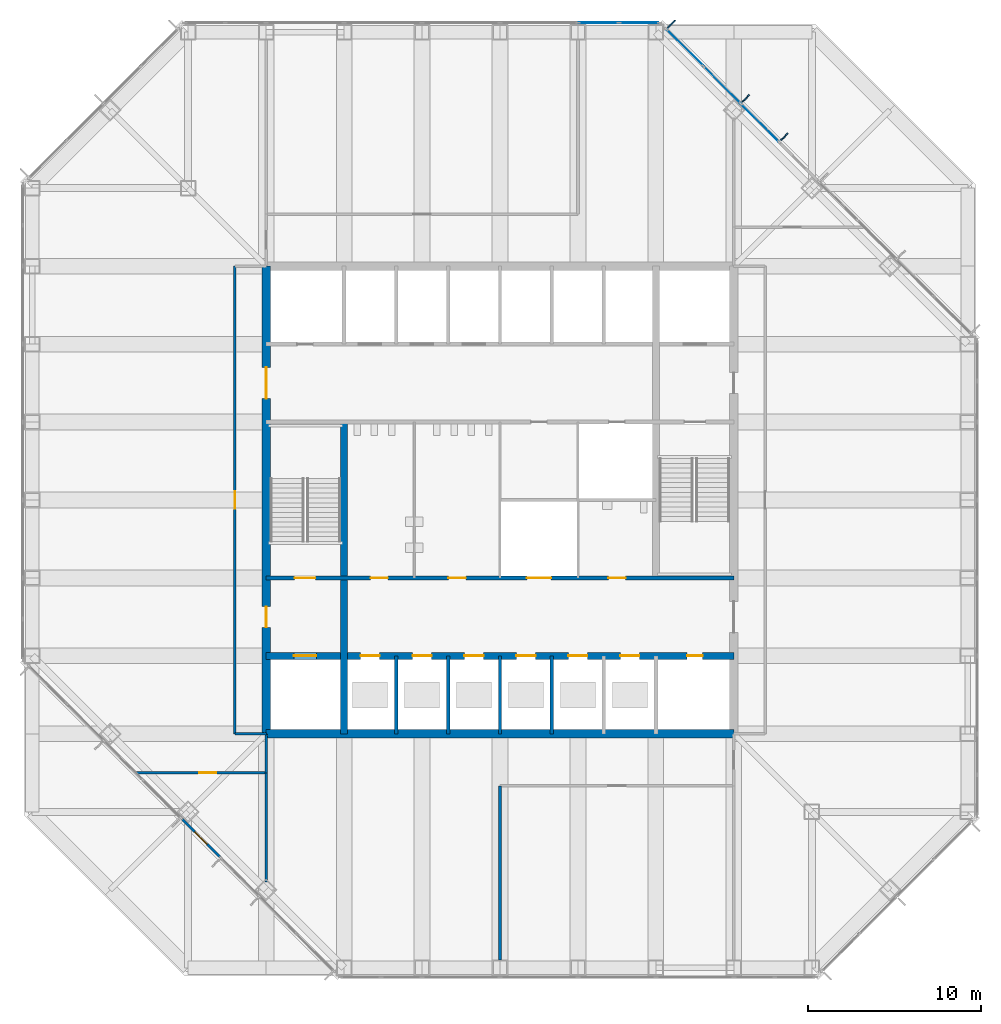
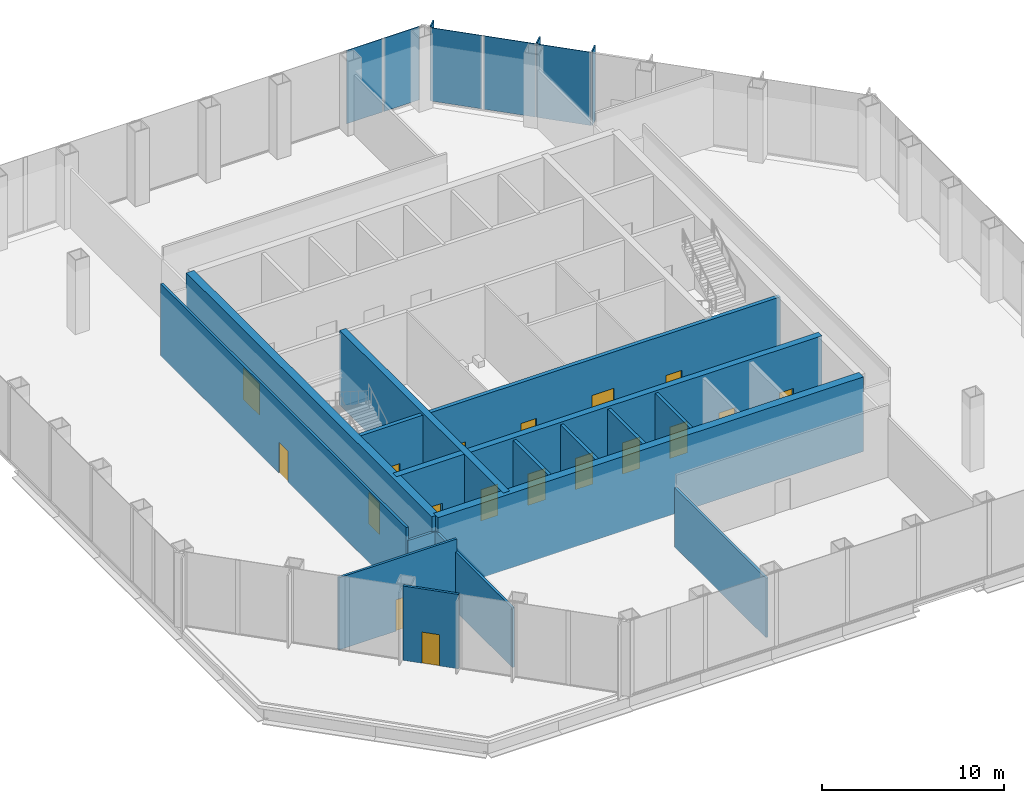
# One storey, part 7 of 12: 18 doors, 16 walls, 8 plates, 18 openings, 2 elements without a shape of their own.
"""IFC4 building model written with IfcOpenShell, lengths in metres."""

from ifc_helpers import new_model, si_unit, direction, frame, frame_2d, origin, origin_2d, place, context, subcontext, project, spatial, rectangle, extrude, material, layer, layer_set, type_object, element, fill, aggregate, save


model = new_model("IFC4")

# Units and contexts
model_context = context("Model", 3, precision=1e-05, world=origin(), true_north=direction((0.0, 1.0)))
body_context = subcontext(model_context, "Body", "Model", "MODEL_VIEW")
ifc_project = project(units=[si_unit("LENGTHUNIT", "METRE"), si_unit("AREAUNIT", "SQUARE_METRE"), si_unit("VOLUMEUNIT", "CUBIC_METRE"), si_unit("PLANEANGLEUNIT", "RADIAN"), si_unit("MASSUNIT", "GRAM", prefix="KILO")], contexts=[model_context])

# Site, building, storey
site_placement = place(None, origin())
site = spatial("IfcSite", under=ifc_project, at=site_placement, CompositionType="ELEMENT")
building_placement = place(site_placement, origin())
building = spatial("IfcBuilding", under=site, at=building_placement, Name="Corais Broadcast Tower", CompositionType="ELEMENT")
storey_placement = place(building_placement, frame((0.0, 0.0, 110.60009765625)))
storey = spatial("IfcBuildingStorey", under=building, at=storey_placement, Name="L24", CompositionType="ELEMENT", Elevation=110.60009765625)

# Curtain wall, plate
ifc_material_1 = material(Name="Aluminium and glass", Category="aluminium")
curtain_wall_type = type_object("IfcCurtainWallType", Name="Sky lobby curtain wall CW4", PredefinedType="NOTDEFINED", material=ifc_material_1)
curtain_wall_1_placement = place(storey_placement, origin())
curtain_wall_1 = element("IfcCurtainWall", 1, at=curtain_wall_1_placement, inside=storey, type_object=curtain_wall_type, Name="CW4 curtain wall L24 4", PredefinedType="NOTDEFINED")
ifc_material_2 = material(Name="Ceramic-fritted laminated glass", Category="glass")
ifc_layer_1 = layer(ifc_material_2, 0.035888671875)
ifc_layer_set_1 = layer_set([ifc_layer_1], Name="Ceramic-fritted laminated glass")
plate_type_1 = type_object("IfcPlateType", Name="Fritted glass panel CW4", PredefinedType="CURTAIN_PANEL", material=ifc_layer_set_1)
plate_1_placement = place(storey_placement, frame((32.681884765625, 54.550048828125, 0.079833984375), z_axis=(0.0, 0.0, 1.0), x_axis=(1.0, 0.0, 0.0)))
plate_1 = element("IfcPlate", 2, at=plate_1_placement, type_object=plate_type_1, Name="CW4 panel 7", PredefinedType="CURTAIN_PANEL", context=body_context, shape_type="SweptSolid", body=[
    extrude(rectangle(XDim=2.283935546875, YDim=0.035888671875, at=origin_2d()), origin(), (0.0, 0.0, 1.0), 4.919921875),
])

# Curtain wall, plates
curtain_wall_2_placement = place(storey_placement, origin())
curtain_wall_2 = element("IfcCurtainWall", 3, at=curtain_wall_2_placement, inside=storey, type_object=curtain_wall_type, Name="CW4 curtain wall L24 5", PredefinedType="NOTDEFINED")
plate_2_placement = place(storey_placement, frame((37.67236328125, 53.10546875, 0.079833984375), z_axis=(0.0, 0.0, 1.0), x_axis=(0.707106781187, -0.707106781187, 0.0)))
plate_2 = element("IfcPlate", 4, at=plate_2_placement, type_object=plate_type_1, Name="CW4 panel 1", PredefinedType="CURTAIN_PANEL", context=body_context, shape_type="SweptSolid", body=[
    extrude(rectangle(XDim=2.92578125, YDim=0.035888671875, at=origin_2d()), origin(), (0.0, 0.0, 1.0), 4.919921875),
])
plate_3_placement = place(storey_placement, frame((41.999755859375, 48.778076171875, 0.079833984375), z_axis=(0.0, 0.0, 1.0), x_axis=(0.707106781187, -0.707106781187, 0.0)))
plate_3 = element("IfcPlate", 5, at=plate_3_placement, type_object=plate_type_1, Name="CW4 panel 3", PredefinedType="CURTAIN_PANEL", context=body_context, shape_type="SweptSolid", body=[
    extrude(rectangle(XDim=3.06201171875, YDim=0.035888671875, at=origin_2d()), origin(), (0.0, 0.0, 1.0), 4.919921875),
])

# Plate
ifc_material_3 = material(Name="Clear laminated glass", Category="glass")
ifc_layer_2 = layer(ifc_material_3, 0.0400390625)
ifc_layer_set_2 = layer_set([ifc_layer_2], Name="Clear laminated glass")
plate_type_2 = type_object("IfcPlateType", Name="Operable glass panel CW4", PredefinedType="CURTAIN_PANEL", material=ifc_layer_set_2)
plate_4_placement = place(storey_placement, frame((35.02587890625, 54.550048828125, 0.079833984375), z_axis=(0.0, 0.0, 1.0), x_axis=(1.0, 0.0, 0.0)))
plate_4 = element("IfcPlate", 6, at=plate_4_placement, type_object=plate_type_2, Name="CW4 operable panel 8", PredefinedType="CURTAIN_PANEL", context=body_context, shape_type="SweptSolid", body=[
    extrude(rectangle(XDim=2.243896484375, YDim=0.0400390625, at=origin_2d()), origin(), (0.0, 0.0, 1.0), 4.919921875),
])

aggregate(curtain_wall_1, [plate_1, plate_4])

plate_5_placement = place(storey_placement, frame((39.81201171875, 50.9658203125, 0.079833984375), z_axis=(0.0, 0.0, 1.0), x_axis=(0.707106781187, -0.707106781187, 0.0)))
plate_5 = element("IfcPlate", 7, at=plate_5_placement, type_object=plate_type_2, Name="CW4 operable panel 2", PredefinedType="CURTAIN_PANEL", context=body_context, shape_type="SweptSolid", body=[
    extrude(rectangle(XDim=2.9658203125, YDim=0.0400390625, at=origin_2d()), origin(), (0.0, 0.0, 1.0), 4.919921875),
])

aggregate(curtain_wall_2, [plate_2, plate_5, plate_3])

# Plates
ifc_material_4 = material(Name="Granite stone cladding", Category="masonry")
ifc_layer_3 = layer(ifc_material_4, 0.080078125)
ifc_layer_set_3 = layer_set([ifc_layer_3], Name="Granite stone cladding")
plate_type_3 = type_object("IfcPlateType", Name="Stone screen fin 80x600", PredefinedType="USERDEFINED", material=ifc_layer_set_3)
for number, where, z_axis, x_axis, name in (
    (8, (36.908203125, 54.466552734375, 0.0), (0.0, 0.0, 1.0), (0.707106781187, -0.707106781187, 0.0), "SF1 stone screen fin L24"),
    (9, (41.187255859375, 50.187255859375, 0.0), (0.0, 0.0, 1.0), (0.707106781187, -0.707106781187, 0.0), "SF1 stone screen fin L24"),
    (10, (43.408935546875, 47.965576171875, 0.0), (0.0, 0.0, 1.0), (0.707106781187, -0.707106781187, 0.0), "SF1 stone screen fin L24"),
):
    element("IfcPlate", number, at=place(storey_placement, frame(where, z_axis=z_axis, x_axis=x_axis)), inside=storey, type_object=plate_type_3, Name=name, ObjectType="STONE SCREEN FIN", PredefinedType="USERDEFINED", context=body_context, shape_type="SweptSolid", body=[
        extrude(rectangle(XDim=0.080078125, YDim=0.60009765625, at=origin_2d()), origin(), (0.0, 0.0, 1.0), 5.0),
    ])

# Wall, openings, doors
ifc_material_5 = material(Name="Concrete blockwork class A, grouted, two-hour", Category="masonry")
ifc_layer_4 = layer(ifc_material_5, 0.25)
ifc_layer_set_4 = layer_set([ifc_layer_4], Name="Concrete blockwork class A, grouted, two-hour")
wall_type_1 = type_object("IfcWallType", Name="Core lobby wall 250", PredefinedType="SOLIDWALL", material=ifc_layer_set_4)
wall_1_placement = place(storey_placement, frame((13.5, 22.5, 0.0), z_axis=(0.0, 0.0, 1.0), x_axis=(1.0, 0.0, 0.0)))
wall_1 = element("IfcWall", 11, at=wall_1_placement, inside=storey, type_object=wall_type_1, Name="CL2 core lobby wall Y225 L24", PredefinedType="SOLIDWALL", context=body_context, shape_type="SweptSolid", body=[
    extrude(rectangle(XDim=27.0, YDim=0.25, at=frame_2d((13.5, 0.0))), origin(), (0.0, 0.0, 1.0), 4.83984375),
])
opening_1_placement = place(wall_1_placement, frame((1.64990234375, 0.0, 0.0)))
opening_1 = element("IfcOpeningElement", 12, at=opening_1_placement, cuts=wall_1, Name="Opening FD1", PredefinedType="OPENING", context=body_context, shape_type="SweptSolid", body=[
    extrude(rectangle(XDim=1.199951171875, YDim=2.10009765625, at=frame_2d((0.60009765625, 1.050048828125))), frame((0.0, 0.135009765625, 0.0), z_axis=(0.0, -1.0, 0.0), x_axis=(1.0, 0.0, 0.0)), (0.0, 0.0, 1.0), 0.27001953125),
])
opening_2_placement = place(wall_1_placement, frame((6.02490234375, 0.0, 0.0)))
opening_2 = element("IfcOpeningElement", 13, at=opening_2_placement, cuts=wall_1, Name="Opening WD1", PredefinedType="OPENING", context=body_context, shape_type="SweptSolid", body=[
    extrude(rectangle(XDim=1.0, YDim=2.10009765625, at=frame_2d((0.5, 1.050048828125))), frame((0.0, 0.135009765625, 0.0), z_axis=(0.0, -1.0, 0.0), x_axis=(1.0, 0.0, 0.0)), (0.0, 0.0, 1.0), 0.27001953125),
])
opening_3_placement = place(wall_1_placement, frame((10.52490234375, 0.0, 0.0)))
opening_3 = element("IfcOpeningElement", 14, at=opening_3_placement, cuts=wall_1, Name="Opening WD1", PredefinedType="OPENING", context=body_context, shape_type="SweptSolid", body=[
    extrude(rectangle(XDim=1.0, YDim=2.10009765625, at=frame_2d((0.5, 1.050048828125))), frame((0.0, 0.135009765625, 0.0), z_axis=(0.0, -1.0, 0.0), x_axis=(1.0, 0.0, 0.0)), (0.0, 0.0, 1.0), 0.27001953125),
])
opening_4_placement = place(wall_1_placement, frame((19.75, 0.0, 0.0)))
opening_4 = element("IfcOpeningElement", 15, at=opening_4_placement, cuts=wall_1, Name="Opening WD1", PredefinedType="OPENING", context=body_context, shape_type="SweptSolid", body=[
    extrude(rectangle(XDim=1.0, YDim=2.10009765625, at=frame_2d((0.5, 1.050048828125))), frame((0.0, 0.135009765625, 0.0), z_axis=(0.0, -1.0, 0.0), x_axis=(1.0, 0.0, 0.0)), (0.0, 0.0, 1.0), 0.27001953125),
])
opening_5_placement = place(wall_1_placement, frame((15.050048828125, 0.0, 0.0)))
opening_5 = element("IfcOpeningElement", 16, at=opening_5_placement, cuts=wall_1, Name="Opening LD3", PredefinedType="OPENING", context=body_context, shape_type="SweptSolid", body=[
    extrude(rectangle(XDim=1.39990234375, YDim=2.39990234375, at=frame_2d((0.699951171875, 1.199951171875))), frame((0.0, 0.135009765625, 0.0), z_axis=(0.0, -1.0, 0.0), x_axis=(1.0, 0.0, 0.0)), (0.0, 0.0, 1.0), 0.27001953125),
])
ifc_material_6 = material(Name="Steel fire door", Category="steel")
door_type_1 = type_object("IfcDoorType", Name="Fire door 1200x2100", OperationType="SINGLE_SWING_LEFT", PredefinedType="DOOR", material=ifc_material_6)
door_1_placement = place(opening_1_placement, origin())
door_1 = element("IfcDoor", 17, at=door_1_placement, inside=storey, type_object=door_type_1, Name="FD1 stair A door L24", OperationType="SINGLE_SWING_LEFT", OverallHeight=2.10009765625, OverallWidth=1.199951171875, PredefinedType="DOOR", context=body_context, shape_type="SweptSolid", body=[
    extrude(rectangle(XDim=1.199951171875, YDim=2.10009765625, at=frame_2d((0.60009765625, 1.050048828125))), frame((0.0, 0.02490234375, 0.0), z_axis=(0.0, -1.0, 0.0), x_axis=(1.0, 0.0, 0.0)), (0.0, 0.0, 1.0), 0.050048828125),
])
fill(opening_1, door_1)
ifc_material_7 = material(Name="Stainless steel lift door", Category="steel")
door_type_2 = type_object("IfcDoorType", Name="Service lift landing door 1400x2400", OperationType="SLIDING_TO_LEFT", PredefinedType="DOOR", material=ifc_material_7)
door_2_placement = place(opening_5_placement, origin())
door_2 = element("IfcDoor", 18, at=door_2_placement, inside=storey, type_object=door_type_2, Name="LD3 SL1 landing door L24", OperationType="SLIDING_TO_LEFT", OverallHeight=2.39990234375, OverallWidth=1.39990234375, PredefinedType="DOOR", context=body_context, shape_type="SweptSolid", body=[
    extrude(rectangle(XDim=1.39990234375, YDim=2.39990234375, at=frame_2d((0.699951171875, 1.199951171875))), frame((0.0, 0.02490234375, 0.0), z_axis=(0.0, -1.0, 0.0), x_axis=(1.0, 0.0, 0.0)), (0.0, 0.0, 1.0), 0.050048828125),
])
fill(opening_5, door_2)
ifc_material_8 = material(Name="Timber door", Category="wood")
door_type_3 = type_object("IfcDoorType", Name="Toilet door 1000x2100", OperationType="SINGLE_SWING_LEFT", PredefinedType="DOOR", material=ifc_material_8)
door_3_placement = place(opening_2_placement, origin())
door_3 = element("IfcDoor", 19, at=door_3_placement, inside=storey, type_object=door_type_3, Name="WD1 WC male door L24", OperationType="SINGLE_SWING_LEFT", OverallHeight=2.10009765625, OverallWidth=1.0, PredefinedType="DOOR", context=body_context, shape_type="SweptSolid", body=[
    extrude(rectangle(XDim=1.0, YDim=2.10009765625, at=frame_2d((0.5, 1.050048828125))), frame((0.0, 0.02490234375, 0.0), z_axis=(0.0, -1.0, 0.0), x_axis=(1.0, 0.0, 0.0)), (0.0, 0.0, 1.0), 0.050048828125),
])
fill(opening_2, door_3)
door_4_placement = place(opening_3_placement, origin())
door_4 = element("IfcDoor", 20, at=door_4_placement, inside=storey, type_object=door_type_3, Name="WD1 WC female door L24", OperationType="SINGLE_SWING_LEFT", OverallHeight=2.10009765625, OverallWidth=1.0, PredefinedType="DOOR", context=body_context, shape_type="SweptSolid", body=[
    extrude(rectangle(XDim=1.0, YDim=2.10009765625, at=frame_2d((0.5, 1.050048828125))), frame((0.0, 0.02490234375, 0.0), z_axis=(0.0, -1.0, 0.0), x_axis=(1.0, 0.0, 0.0)), (0.0, 0.0, 1.0), 0.050048828125),
])
fill(opening_3, door_4)
door_5_placement = place(opening_4_placement, origin())
door_5 = element("IfcDoor", 21, at=door_5_placement, inside=storey, type_object=door_type_3, Name="WD1 accessible WC door L24", OperationType="SINGLE_SWING_RIGHT", OverallHeight=2.10009765625, OverallWidth=1.0, PredefinedType="DOOR", context=body_context, shape_type="SweptSolid", body=[
    extrude(rectangle(XDim=1.0, YDim=2.10009765625, at=frame_2d((0.5, 1.050048828125))), frame((0.0, 0.02490234375, 0.0), z_axis=(0.0, -1.0, 0.0), x_axis=(1.0, 0.0, 0.0)), (0.0, 0.0, 1.0), 0.050048828125),
])
fill(opening_4, door_5)

# Wall
ifc_material_9 = material(Name="Concrete C50/60", Category="concrete")
ifc_layer_5 = layer(ifc_material_9, 0.39990234375)
ifc_layer_set_5 = layer_set([ifc_layer_5], Name="Concrete C50/60")
wall_type_2 = type_object("IfcWallType", Name="Core wall 400", PredefinedType="SHEAR", material=ifc_layer_set_5)
wall_2_placement = place(storey_placement, frame((18.0, 13.5, 0.0), z_axis=(0.0, 0.0, 1.0), x_axis=(0.0, 1.0, 0.0)))
element("IfcWall", 22, at=wall_2_placement, inside=storey, type_object=wall_type_2, Name="CR400 core wall X18A L24", PredefinedType="SHEAR", context=body_context, shape_type="SweptSolid", body=[
    extrude(rectangle(XDim=18.0, YDim=0.39990234375, at=frame_2d((9.0, 0.0))), origin(), (0.0, 0.0, 1.0), 5.0),
])

# Wall, openings, doors
wall_3_placement = place(storey_placement, frame((13.5, 18.0, 0.0), z_axis=(0.0, 0.0, 1.0), x_axis=(1.0, 0.0, 0.0)))
wall_3 = element("IfcWall", 23, at=wall_3_placement, inside=storey, type_object=wall_type_2, Name="CR400 core wall Y18 L24", PredefinedType="SHEAR", context=body_context, shape_type="SweptSolid", body=[
    extrude(rectangle(XDim=27.0, YDim=0.39990234375, at=frame_2d((13.5, 0.0))), origin(), (0.0, 0.0, 1.0), 5.0),
])
opening_6_placement = place(wall_3_placement, frame((24.300048828125, 0.0, 0.0)))
opening_6 = element("IfcOpeningElement", 24, at=opening_6_placement, cuts=wall_3, Name="Opening RD1", PredefinedType="OPENING", context=body_context, shape_type="SweptSolid", body=[
    extrude(rectangle(XDim=0.89990234375, YDim=2.10009765625, at=frame_2d((0.449951171875, 1.050048828125))), frame((0.0, 0.2099609375, 0.0), z_axis=(0.0, -1.0, 0.0), x_axis=(1.0, 0.0, 0.0)), (0.0, 0.0, 1.0), 0.419921875),
])
opening_7_placement = place(wall_3_placement, frame((5.449951171875, 0.0, 0.0)))
opening_7 = element("IfcOpeningElement", 25, at=opening_7_placement, cuts=wall_3, Name="Opening LD1", PredefinedType="OPENING", context=body_context, shape_type="SweptSolid", body=[
    extrude(rectangle(XDim=1.10009765625, YDim=2.10009765625, at=frame_2d((0.550048828125, 1.050048828125))), frame((0.0, 0.2099609375, 0.0), z_axis=(0.0, -1.0, 0.0), x_axis=(1.0, 0.0, 0.0)), (0.0, 0.0, 1.0), 0.419921875),
])
opening_8_placement = place(wall_3_placement, frame((8.449951171875, 0.0, 0.0)))
opening_8 = element("IfcOpeningElement", 26, at=opening_8_placement, cuts=wall_3, Name="Opening LD1", PredefinedType="OPENING", context=body_context, shape_type="SweptSolid", body=[
    extrude(rectangle(XDim=1.10009765625, YDim=2.10009765625, at=frame_2d((0.550048828125, 1.050048828125))), frame((0.0, 0.2099609375, 0.0), z_axis=(0.0, -1.0, 0.0), x_axis=(1.0, 0.0, 0.0)), (0.0, 0.0, 1.0), 0.419921875),
])
opening_9_placement = place(wall_3_placement, frame((11.449951171875, 0.0, 0.0)))
opening_9 = element("IfcOpeningElement", 27, at=opening_9_placement, cuts=wall_3, Name="Opening LD1", PredefinedType="OPENING", context=body_context, shape_type="SweptSolid", body=[
    extrude(rectangle(XDim=1.10009765625, YDim=2.10009765625, at=frame_2d((0.550048828125, 1.050048828125))), frame((0.0, 0.2099609375, 0.0), z_axis=(0.0, -1.0, 0.0), x_axis=(1.0, 0.0, 0.0)), (0.0, 0.0, 1.0), 0.419921875),
])
opening_10_placement = place(wall_3_placement, frame((14.449951171875, 0.0, 0.0)))
opening_10 = element("IfcOpeningElement", 28, at=opening_10_placement, cuts=wall_3, Name="Opening LD1", PredefinedType="OPENING", context=body_context, shape_type="SweptSolid", body=[
    extrude(rectangle(XDim=1.10009765625, YDim=2.10009765625, at=frame_2d((0.550048828125, 1.050048828125))), frame((0.0, 0.2099609375, 0.0), z_axis=(0.0, -1.0, 0.0), x_axis=(1.0, 0.0, 0.0)), (0.0, 0.0, 1.0), 0.419921875),
])
opening_11_placement = place(wall_3_placement, frame((17.449951171875, 0.0, 0.0)))
opening_11 = element("IfcOpeningElement", 29, at=opening_11_placement, cuts=wall_3, Name="Opening LD1", PredefinedType="OPENING", context=body_context, shape_type="SweptSolid", body=[
    extrude(rectangle(XDim=1.10009765625, YDim=2.10009765625, at=frame_2d((0.550048828125, 1.050048828125))), frame((0.0, 0.2099609375, 0.0), z_axis=(0.0, -1.0, 0.0), x_axis=(1.0, 0.0, 0.0)), (0.0, 0.0, 1.0), 0.419921875),
])
opening_12_placement = place(wall_3_placement, frame((20.449951171875, 0.0, 0.0)))
opening_12 = element("IfcOpeningElement", 30, at=opening_12_placement, cuts=wall_3, Name="Opening LD1", PredefinedType="OPENING", context=body_context, shape_type="SweptSolid", body=[
    extrude(rectangle(XDim=1.10009765625, YDim=2.10009765625, at=frame_2d((0.550048828125, 1.050048828125))), frame((0.0, 0.2099609375, 0.0), z_axis=(0.0, -1.0, 0.0), x_axis=(1.0, 0.0, 0.0)), (0.0, 0.0, 1.0), 0.419921875),
])
opening_13_placement = place(wall_3_placement, frame((1.60009765625, 0.0, 0.0)))
opening_13 = element("IfcOpeningElement", 31, at=opening_13_placement, cuts=wall_3, Name="Opening LD2", PredefinedType="OPENING", context=body_context, shape_type="SweptSolid", body=[
    extrude(rectangle(XDim=1.300048828125, YDim=2.199951171875, at=frame_2d((0.64990234375, 1.10009765625))), frame((0.0, 0.2099609375, 0.0), z_axis=(0.0, -1.0, 0.0), x_axis=(1.0, 0.0, 0.0)), (0.0, 0.0, 1.0), 0.419921875),
])
ifc_material_10 = material(Name="Stainless steel lift door", Category="steel")
door_type_4 = type_object("IfcDoorType", Name="Lift landing door 1100x2100", OperationType="SLIDING_TO_LEFT", PredefinedType="DOOR", material=ifc_material_10)
door_6_placement = place(opening_7_placement, origin())
door_6 = element("IfcDoor", 32, at=door_6_placement, inside=storey, type_object=door_type_4, Name="LD1 PM1 landing door L24", OperationType="SLIDING_TO_LEFT", OverallHeight=2.10009765625, OverallWidth=1.10009765625, PredefinedType="DOOR", context=body_context, shape_type="SweptSolid", body=[
    extrude(rectangle(XDim=1.10009765625, YDim=2.10009765625, at=frame_2d((0.550048828125, 1.050048828125))), frame((0.0, 0.02490234375, 0.0), z_axis=(0.0, -1.0, 0.0), x_axis=(1.0, 0.0, 0.0)), (0.0, 0.0, 1.0), 0.050048828125),
])
fill(opening_7, door_6)
door_7_placement = place(opening_8_placement, origin())
door_7 = element("IfcDoor", 33, at=door_7_placement, inside=storey, type_object=door_type_4, Name="LD1 PM2 landing door L24", OperationType="SLIDING_TO_LEFT", OverallHeight=2.10009765625, OverallWidth=1.10009765625, PredefinedType="DOOR", context=body_context, shape_type="SweptSolid", body=[
    extrude(rectangle(XDim=1.10009765625, YDim=2.10009765625, at=frame_2d((0.550048828125, 1.050048828125))), frame((0.0, 0.02490234375, 0.0), z_axis=(0.0, -1.0, 0.0), x_axis=(1.0, 0.0, 0.0)), (0.0, 0.0, 1.0), 0.050048828125),
])
fill(opening_8, door_7)
door_8_placement = place(opening_9_placement, origin())
door_8 = element("IfcDoor", 34, at=door_8_placement, inside=storey, type_object=door_type_4, Name="LD1 PM3 landing door L24", OperationType="SLIDING_TO_LEFT", OverallHeight=2.10009765625, OverallWidth=1.10009765625, PredefinedType="DOOR", context=body_context, shape_type="SweptSolid", body=[
    extrude(rectangle(XDim=1.10009765625, YDim=2.10009765625, at=frame_2d((0.550048828125, 1.050048828125))), frame((0.0, 0.02490234375, 0.0), z_axis=(0.0, -1.0, 0.0), x_axis=(1.0, 0.0, 0.0)), (0.0, 0.0, 1.0), 0.050048828125),
])
fill(opening_9, door_8)
door_9_placement = place(opening_10_placement, origin())
door_9 = element("IfcDoor", 35, at=door_9_placement, inside=storey, type_object=door_type_4, Name="LD1 PM4 landing door L24", OperationType="SLIDING_TO_LEFT", OverallHeight=2.10009765625, OverallWidth=1.10009765625, PredefinedType="DOOR", context=body_context, shape_type="SweptSolid", body=[
    extrude(rectangle(XDim=1.10009765625, YDim=2.10009765625, at=frame_2d((0.550048828125, 1.050048828125))), frame((0.0, 0.02490234375, 0.0), z_axis=(0.0, -1.0, 0.0), x_axis=(1.0, 0.0, 0.0)), (0.0, 0.0, 1.0), 0.050048828125),
])
fill(opening_10, door_9)
door_10_placement = place(opening_11_placement, origin())
door_10 = element("IfcDoor", 36, at=door_10_placement, inside=storey, type_object=door_type_4, Name="LD1 PM5 landing door L24", OperationType="SLIDING_TO_LEFT", OverallHeight=2.10009765625, OverallWidth=1.10009765625, PredefinedType="DOOR", context=body_context, shape_type="SweptSolid", body=[
    extrude(rectangle(XDim=1.10009765625, YDim=2.10009765625, at=frame_2d((0.550048828125, 1.050048828125))), frame((0.0, 0.02490234375, 0.0), z_axis=(0.0, -1.0, 0.0), x_axis=(1.0, 0.0, 0.0)), (0.0, 0.0, 1.0), 0.050048828125),
])
fill(opening_11, door_10)
door_11_placement = place(opening_12_placement, origin())
door_11 = element("IfcDoor", 37, at=door_11_placement, inside=storey, type_object=door_type_4, Name="LD1 PM6 landing door L24", OperationType="SLIDING_TO_LEFT", OverallHeight=2.10009765625, OverallWidth=1.10009765625, PredefinedType="DOOR", context=body_context, shape_type="SweptSolid", body=[
    extrude(rectangle(XDim=1.10009765625, YDim=2.10009765625, at=frame_2d((0.550048828125, 1.050048828125))), frame((0.0, 0.02490234375, 0.0), z_axis=(0.0, -1.0, 0.0), x_axis=(1.0, 0.0, 0.0)), (0.0, 0.0, 1.0), 0.050048828125),
])
fill(opening_12, door_11)
ifc_material_11 = material(Name="Stainless steel lift door", Category="steel")
door_type_5 = type_object("IfcDoorType", Name="Lift landing door 1300x2200", OperationType="SLIDING_TO_LEFT", PredefinedType="DOOR", material=ifc_material_11)
door_12_placement = place(opening_13_placement, origin())
door_12 = element("IfcDoor", 38, at=door_12_placement, inside=storey, type_object=door_type_5, Name="LD2 FL1 landing door L24", OperationType="SLIDING_TO_LEFT", OverallHeight=2.199951171875, OverallWidth=1.300048828125, PredefinedType="DOOR", context=body_context, shape_type="SweptSolid", body=[
    extrude(rectangle(XDim=1.300048828125, YDim=2.199951171875, at=frame_2d((0.64990234375, 1.10009765625))), frame((0.0, 0.02490234375, 0.0), z_axis=(0.0, -1.0, 0.0), x_axis=(1.0, 0.0, 0.0)), (0.0, 0.0, 1.0), 0.050048828125),
])
fill(opening_13, door_12)
ifc_material_12 = material(Name="Steel fire door", Category="steel")
door_type_6 = type_object("IfcDoorType", Name="Riser door 900x2100", OperationType="SINGLE_SWING_LEFT", PredefinedType="DOOR", material=ifc_material_12)
door_13_placement = place(opening_6_placement, origin())
door_13 = element("IfcDoor", 39, at=door_13_placement, inside=storey, type_object=door_type_6, Name="RD1 riser door L24", OperationType="SINGLE_SWING_RIGHT", OverallHeight=2.10009765625, OverallWidth=0.89990234375, PredefinedType="DOOR", context=body_context, shape_type="SweptSolid", body=[
    extrude(rectangle(XDim=0.89990234375, YDim=2.10009765625, at=frame_2d((0.449951171875, 1.050048828125))), frame((0.0, 0.02490234375, 0.0), z_axis=(0.0, -1.0, 0.0), x_axis=(1.0, 0.0, 0.0)), (0.0, 0.0, 1.0), 0.050048828125),
])
fill(opening_6, door_13)

# Wall
ifc_material_13 = material(Name="Concrete C50/60", Category="concrete")
ifc_layer_6 = layer(ifc_material_13, 0.5)
ifc_layer_set_6 = layer_set([ifc_layer_6], Name="Concrete C50/60")
wall_type_3 = type_object("IfcWallType", Name="Core wall 500", PredefinedType="SHEAR", material=ifc_layer_set_6)
wall_4_placement = place(storey_placement, frame((13.5, 13.5, 0.0), z_axis=(0.0, 0.0, 1.0), x_axis=(1.0, 0.0, 0.0)))
element("IfcWall", 40, at=wall_4_placement, inside=storey, type_object=wall_type_3, Name="CR500 core wall S L24", PredefinedType="SHEAR", context=body_context, shape_type="SweptSolid", body=[
    extrude(rectangle(XDim=27.0, YDim=0.5, at=frame_2d((13.5, 0.0))), origin(), (0.0, 0.0, 1.0), 5.0),
])

# Wall, openings, doors
wall_5_placement = place(storey_placement, frame((13.5, 40.5, 0.0), z_axis=(0.0, 0.0, 1.0), x_axis=(0.0, -1.0, 0.0)))
wall_5 = element("IfcWall", 41, at=wall_5_placement, inside=storey, type_object=wall_type_3, Name="CR500 core wall W L24", PredefinedType="SHEAR", context=body_context, shape_type="SweptSolid", body=[
    extrude(rectangle(XDim=27.0, YDim=0.5, at=frame_2d((13.5, 0.0))), origin(), (0.0, 0.0, 1.0), 5.0),
])
opening_14_placement = place(wall_5_placement, frame((19.64990234375, 0.0, 0.0)))
opening_14 = element("IfcOpeningElement", 42, at=opening_14_placement, cuts=wall_5, Name="Opening FD1", PredefinedType="OPENING", context=body_context, shape_type="SweptSolid", body=[
    extrude(rectangle(XDim=1.199951171875, YDim=2.10009765625, at=frame_2d((0.60009765625, 1.050048828125))), frame((0.0, 0.260009765625, 0.0), z_axis=(0.0, -1.0, 0.0), x_axis=(1.0, 0.0, 0.0)), (0.0, 0.0, 1.0), 0.52001953125),
])
opening_15_placement = place(wall_5_placement, frame((5.85009765625, 0.0, 0.0)))
opening_15 = element("IfcOpeningElement", 43, at=opening_15_placement, cuts=wall_5, Name="Opening FD2", PredefinedType="OPENING", context=body_context, shape_type="SweptSolid", body=[
    extrude(rectangle(XDim=1.800048828125, YDim=2.10009765625, at=frame_2d((0.89990234375, 1.050048828125))), frame((0.0, 0.260009765625, 0.0), z_axis=(0.0, -1.0, 0.0), x_axis=(1.0, 0.0, 0.0)), (0.0, 0.0, 1.0), 0.52001953125),
])
door_14_placement = place(opening_14_placement, origin())
door_14 = element("IfcDoor", 44, at=door_14_placement, inside=storey, type_object=door_type_1, Name="FD1 fire lobby A door L24", OperationType="SINGLE_SWING_RIGHT", OverallHeight=2.10009765625, OverallWidth=1.199951171875, PredefinedType="DOOR", context=body_context, shape_type="SweptSolid", body=[
    extrude(rectangle(XDim=1.199951171875, YDim=2.10009765625, at=frame_2d((0.60009765625, 1.050048828125))), frame((0.0, 0.02490234375, 0.0), z_axis=(0.0, -1.0, 0.0), x_axis=(1.0, 0.0, 0.0)), (0.0, 0.0, 1.0), 0.050048828125),
])
fill(opening_14, door_14)
ifc_material_14 = material(Name="Steel fire door", Category="steel")
door_type_7 = type_object("IfcDoorType", Name="Fire door pair 1800x2100", OperationType="DOUBLE_DOOR_SINGLE_SWING", PredefinedType="DOOR", material=ifc_material_14)
door_15_placement = place(opening_15_placement, origin())
door_15 = element("IfcDoor", 45, at=door_15_placement, inside=storey, type_object=door_type_7, Name="FD2 lift lobby door L24", OperationType="SINGLE_SWING_LEFT", OverallHeight=2.10009765625, OverallWidth=1.800048828125, PredefinedType="DOOR", context=body_context, shape_type="SweptSolid", body=[
    extrude(rectangle(XDim=1.800048828125, YDim=2.10009765625, at=frame_2d((0.89990234375, 1.050048828125))), frame((0.0, 0.02490234375, 0.0), z_axis=(0.0, -1.0, 0.0), x_axis=(1.0, 0.0, 0.0)), (0.0, 0.0, 1.0), 0.050048828125),
])
fill(opening_15, door_15)

# Wall, opening, door
ifc_material_15 = material(Name="Clear laminated glass in stainless steel frame", Category="steel")
ifc_layer_7 = layer(ifc_material_15, 0.14990234375)
ifc_layer_set_7 = layer_set([ifc_layer_7], Name="Clear laminated glass in stainless steel frame")
wall_type_4 = type_object("IfcWallType", Name="Glazed entrance screen 150", PredefinedType="USERDEFINED", material=ifc_layer_set_7)
wall_6_placement = place(storey_placement, frame((10.861083984375, 6.361083984375, 0.0), z_axis=(0.0, 0.0, 1.0), x_axis=(-0.707106781187, 0.707106781187, 0.0)))
wall_6 = element("IfcWall", 46, at=wall_6_placement, inside=storey, type_object=wall_type_4, Name="ES1 roof access screen L24", ObjectType="ENTRANCE SCREEN", PredefinedType="USERDEFINED", context=body_context, shape_type="SweptSolid", body=[
    extrude(rectangle(XDim=3.181884765625, YDim=0.14990234375, at=frame_2d((1.5908203125, 0.0))), origin(), (0.0, 0.0, 1.0), 5.0),
])
opening_16_placement = place(wall_6_placement, frame((1.091064453125, 0.0, 0.0)))
opening_16 = element("IfcOpeningElement", 47, at=opening_16_placement, cuts=wall_6, Name="Opening XD1", PredefinedType="OPENING", context=body_context, shape_type="SweptSolid", body=[
    extrude(rectangle(XDim=1.0, YDim=2.10009765625, at=frame_2d((0.5, 1.050048828125))), frame((0.0, 0.0849609375, 0.0), z_axis=(0.0, -1.0, 0.0), x_axis=(1.0, 0.0, 0.0)), (0.0, 0.0, 1.0), 0.169921875),
])
ifc_material_16 = material(Name="Steel door", Category="steel")
door_type_8 = type_object("IfcDoorType", Name="External single door 1000x2100", OperationType="SINGLE_SWING_LEFT", PredefinedType="DOOR", material=ifc_material_16)
door_16_placement = place(opening_16_placement, origin())
door_16 = element("IfcDoor", 48, at=door_16_placement, inside=storey, type_object=door_type_8, Name="XD1 roof access door L24, maintenance access only", OperationType="SINGLE_SWING_RIGHT", OverallHeight=2.10009765625, OverallWidth=1.0, PredefinedType="DOOR", context=body_context, shape_type="SweptSolid", body=[
    extrude(rectangle(XDim=1.0, YDim=2.10009765625, at=frame_2d((0.5, 1.050048828125))), frame((0.0, 0.02490234375, 0.0), z_axis=(0.0, -1.0, 0.0), x_axis=(1.0, 0.0, 0.0)), (0.0, 0.0, 1.0), 0.050048828125),
])
fill(opening_16, door_16)

ifc_material_17 = material(Name="Gypsum board on steel studs", Category="steel")
ifc_layer_8 = layer(ifc_material_17, 0.14990234375)
ifc_layer_set_8 = layer_set([ifc_layer_8], Name="Gypsum board on steel studs")
wall_type_5 = type_object("IfcWallType", Name="Partition 150", PredefinedType="PARTITIONING", material=ifc_layer_set_8)
wall_7_placement = place(storey_placement, frame((11.699951171875, 40.5, 0.0), z_axis=(0.0, 0.0, 1.0), x_axis=(0.0, -1.0, 0.0)))
wall_7 = element("IfcWall", 49, at=wall_7_placement, inside=storey, type_object=wall_type_5, Name="IW3 corridor wall L24", PredefinedType="PARTITIONING", context=body_context, shape_type="SweptSolid", body=[
    extrude(rectangle(XDim=27.0, YDim=0.14990234375, at=frame_2d((13.5, 0.0))), origin(), (0.0, 0.0, 1.0), 4.83984375),
])
opening_17_placement = place(wall_7_placement, frame((13.0, 0.0, 0.0)))
opening_17 = element("IfcOpeningElement", 50, at=opening_17_placement, cuts=wall_7, Name="Opening D1", PredefinedType="OPENING", context=body_context, shape_type="SweptSolid", body=[
    extrude(rectangle(XDim=1.0, YDim=2.10009765625, at=frame_2d((0.5, 1.050048828125))), frame((0.0, 0.0849609375, 0.0), z_axis=(0.0, -1.0, 0.0), x_axis=(1.0, 0.0, 0.0)), (0.0, 0.0, 1.0), 0.169921875),
])
ifc_material_18 = material(Name="Timber door", Category="wood")
door_type_9 = type_object("IfcDoorType", Name="Single door 1000x2100", OperationType="SINGLE_SWING_LEFT", PredefinedType="DOOR", material=ifc_material_18)
door_17_placement = place(opening_17_placement, origin())
door_17 = element("IfcDoor", 51, at=door_17_placement, inside=storey, type_object=door_type_9, Name="D1 workplace door L24", OperationType="SINGLE_SWING_LEFT", OverallHeight=2.10009765625, OverallWidth=1.0, PredefinedType="DOOR", context=body_context, shape_type="SweptSolid", body=[
    extrude(rectangle(XDim=1.0, YDim=2.10009765625, at=frame_2d((0.5, 1.050048828125))), frame((0.0, 0.02490234375, 0.0), z_axis=(0.0, -1.0, 0.0), x_axis=(1.0, 0.0, 0.0)), (0.0, 0.0, 1.0), 0.050048828125),
])
fill(opening_17, door_17)

# Walls
wall_8_placement = place(storey_placement, frame((11.699951171875, 13.5, 0.0), z_axis=(0.0, 0.0, 1.0), x_axis=(1.0, 0.0, 0.0)))
element("IfcWall", 52, at=wall_8_placement, inside=storey, type_object=wall_type_5, Name="IW3 corridor wall L24", PredefinedType="PARTITIONING", context=body_context, shape_type="SweptSolid", body=[
    extrude(rectangle(XDim=1.81005859375, YDim=0.14990234375, at=frame_2d((0.905029296875, 0.0))), origin(), (0.0, 0.0, 1.0), 3.989013671875),
])
wall_9_placement = place(storey_placement, frame((27.0, 10.5, 0.0), z_axis=(0.0, 0.0, 1.0), x_axis=(0.0, -1.0, 0.0)))
element("IfcWall", 53, at=wall_9_placement, inside=storey, type_object=wall_type_5, Name="IW3 partition L24", PredefinedType="PARTITIONING", context=body_context, shape_type="SweptSolid", body=[
    extrude(rectangle(XDim=10.0400390625, YDim=0.14990234375, at=frame_2d((5.02001953125, 0.0))), origin(), (0.0, 0.0, 1.0), 3.989013671875),
])
wall_10_placement = place(storey_placement, frame((13.5, 4.9599609375, 0.0), z_axis=(0.0, 0.0, 1.0), x_axis=(0.0, 1.0, 0.0)))
element("IfcWall", 54, at=wall_10_placement, inside=storey, type_object=wall_type_5, Name="IW3 partition L24", PredefinedType="PARTITIONING", context=body_context, shape_type="SweptSolid", body=[
    extrude(rectangle(XDim=6.2900390625, YDim=0.14990234375, at=frame_2d((3.14501953125, 0.0))), origin(), (0.0, 0.0, 1.0), 3.989013671875),
])

# Wall, opening, door
wall_11_placement = place(storey_placement, frame((13.5, 11.25, 0.0), z_axis=(0.0, 0.0, 1.0), x_axis=(-1.0, 0.0, 0.0)))
wall_11 = element("IfcWall", 55, at=wall_11_placement, inside=storey, type_object=wall_type_5, Name="IW3 partition L24", PredefinedType="PARTITIONING", context=body_context, shape_type="SweptSolid", body=[
    extrude(rectangle(XDim=7.4853515625, YDim=0.14990234375, at=frame_2d((3.74267578125, 0.0))), origin(), (0.0, 0.0, 1.0), 4.83984375),
])
opening_18_placement = place(wall_11_placement, frame((2.867919921875, 0.0, 0.0)))
opening_18 = element("IfcOpeningElement", 56, at=opening_18_placement, cuts=wall_11, Name="Opening D1", PredefinedType="OPENING", context=body_context, shape_type="SweptSolid", body=[
    extrude(rectangle(XDim=1.0, YDim=2.10009765625, at=frame_2d((0.5, 1.050048828125))), frame((0.0, 0.0849609375, 0.0), z_axis=(0.0, -1.0, 0.0), x_axis=(1.0, 0.0, 0.0)), (0.0, 0.0, 1.0), 0.169921875),
])
door_18_placement = place(opening_18_placement, origin())
door_18 = element("IfcDoor", 57, at=door_18_placement, inside=storey, type_object=door_type_9, Name="D1 Roof access room door", OperationType="SINGLE_SWING_LEFT", OverallHeight=2.10009765625, OverallWidth=1.0, PredefinedType="DOOR", context=body_context, shape_type="SweptSolid", body=[
    extrude(rectangle(XDim=1.0, YDim=2.10009765625, at=frame_2d((0.5, 1.050048828125))), frame((0.0, 0.02490234375, 0.0), z_axis=(0.0, -1.0, 0.0), x_axis=(1.0, 0.0, 0.0)), (0.0, 0.0, 1.0), 0.050048828125),
])
fill(opening_18, door_18)

# Walls
wall_12_placement = place(storey_placement, frame((13.5, 11.22998046875, 0.0), z_axis=(0.0, 0.0, 1.0), x_axis=(0.0, 1.0, 0.0)))
element("IfcWall", 58, at=wall_12_placement, inside=storey, type_object=wall_type_5, Name="IW3 partition L24", PredefinedType="PARTITIONING", context=body_context, shape_type="SweptSolid", body=[
    extrude(rectangle(XDim=2.27001953125, YDim=0.14990234375, at=frame_2d((1.135009765625, 0.0))), origin(), (0.0, 0.0, 1.0), 3.989013671875),
])
ifc_material_19 = material(Name="Concrete blockwork class A, grouted, two-hour", Category="masonry")
ifc_layer_9 = layer(ifc_material_19, 0.199951171875)
ifc_layer_set_9 = layer_set([ifc_layer_9], Name="Concrete blockwork class A, grouted, two-hour")
wall_type_6 = type_object("IfcWallType", Name="Shaft wall 200", PredefinedType="PARTITIONING", material=ifc_layer_set_9)
for number, where, z_axis, x_axis, name in (
    (59, (21.0, 13.5, 0.0), (0.0, 0.0, 1.0), (0.0, 1.0, 0.0), "IW1 shaft wall L24"),
    (60, (24.0, 13.5, 0.0), (0.0, 0.0, 1.0), (0.0, 1.0, 0.0), "IW1 shaft wall L24"),
    (61, (27.0, 13.5, 0.0), (0.0, 0.0, 1.0), (0.0, 1.0, 0.0), "IW1 shaft wall L24"),
    (62, (30.0, 13.5, 0.0), (0.0, 0.0, 1.0), (0.0, 1.0, 0.0), "IW1 shaft wall L24"),
):
    element("IfcWall", number, at=place(storey_placement, frame(where, z_axis=z_axis, x_axis=x_axis)), inside=storey, type_object=wall_type_6, Name=name, PredefinedType="PARTITIONING", context=body_context, shape_type="SweptSolid", body=[
        extrude(rectangle(XDim=4.5, YDim=0.199951171875, at=frame_2d((2.25, 0.0))), origin(), (0.0, 0.0, 1.0), 4.83984375),
    ])

save(model, "model.ifc")
